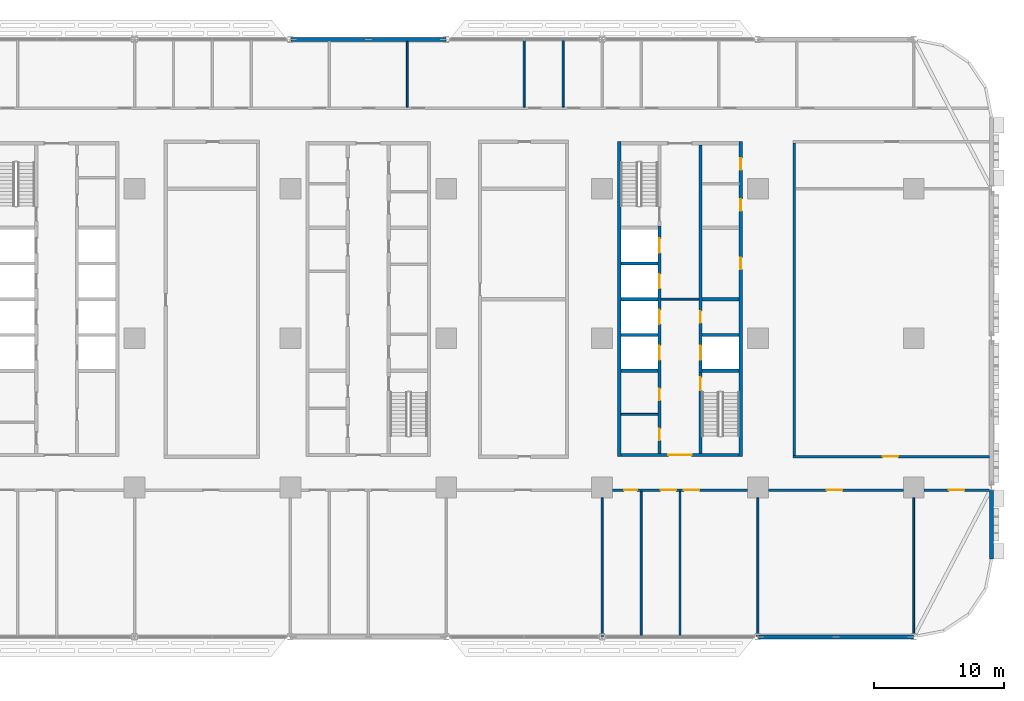
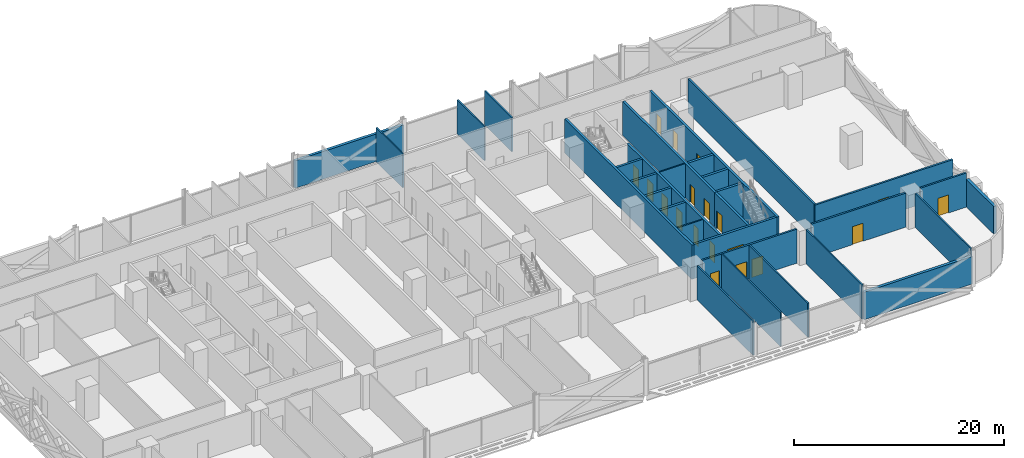
# One storey, part 14 of 27: 31 walls, 19 doors, 19 openings.
"""IFC4 building model written with IfcOpenShell, lengths in metres."""

from ifc_helpers import new_model, si_unit, direction, frame, frame_2d, origin, place, context, subcontext, project, spatial, rectangle, extrude, material, layer, layer_set, type_object, element, fill, save


model = new_model("IFC4")

# Units and contexts
model_context = context("Model", 3, precision=1e-05, world=origin(), true_north=direction((0.0, 1.0)))
body_context = subcontext(model_context, "Body", "Model", "MODEL_VIEW")
ifc_project = project(units=[si_unit("LENGTHUNIT", "METRE"), si_unit("AREAUNIT", "SQUARE_METRE"), si_unit("VOLUMEUNIT", "CUBIC_METRE"), si_unit("PLANEANGLEUNIT", "RADIAN"), si_unit("MASSUNIT", "GRAM", prefix="KILO")], contexts=[model_context])

# Site, building, storey
site_placement = place(None, origin())
site = spatial("IfcSite", under=ifc_project, at=site_placement, CompositionType="ELEMENT")
building_placement = place(site_placement, origin())
building = spatial("IfcBuilding", under=site, at=building_placement, Name="Mahtab Terrace Research Tower", CompositionType="ELEMENT")
storey_placement = place(building_placement, frame((0.0, 0.0, 28.699951171875)))
storey = spatial("IfcBuildingStorey", under=building, at=storey_placement, Name="L06", CompositionType="ELEMENT", Elevation=28.699951171875)

# Walls
ifc_material_1 = material(Name="Gypsum board partition")
ifc_layer_1 = layer(ifc_material_1, 0.14990234375)
ifc_layer_set_1 = layer_set([ifc_layer_1], Name="Core partition 150")
wall_type_1 = type_object("IfcWallType", Name="Core partition 150", PredefinedType="PARTITIONING", material=ifc_layer_set_1)
wall_1_placement = place(storey_placement, frame((22.550048828125, 3.0, 0.0), z_axis=(0.0, 0.0, 1.0), x_axis=(1.0, 0.0, 0.0)))
element("IfcWall", 1, at=wall_1_placement, inside=storey, type_object=wall_type_1, Name="Core wall C ffl", PredefinedType="PARTITIONING", context=body_context, shape_type="SweptSolid", body=[
    extrude(rectangle(XDim=2.89990234375, YDim=0.14990234375, at=frame_2d((1.449951171875, 0.0))), origin(), (0.0, 0.0, 1.0), 3.9599609375),
])
wall_2_placement = place(storey_placement, frame((19.449951171875, -5.875, 0.0), z_axis=(0.0, 0.0, 1.0), x_axis=(1.0, 0.0, 0.0)))
element("IfcWall", 2, at=wall_2_placement, inside=storey, type_object=wall_type_1, Name="Core wall C pWS-888", PredefinedType="PARTITIONING", context=body_context, shape_type="SweptSolid", body=[
    extrude(rectangle(XDim=2.85009765625, YDim=0.14990234375, at=frame_2d((1.425048828125, 0.0))), origin(), (0.0, 0.0, 1.0), 3.9599609375),
])
ifc_material_2 = material(Name="Concrete C70/85", Category="concrete")
ifc_layer_2 = layer(ifc_material_2, 0.25)
ifc_layer_set_2 = layer_set([ifc_layer_2], Name="Core wall 250")
wall_type_2 = type_object("IfcWallType", Name="Core wall 250", PredefinedType="SOLIDWALL", material=ifc_layer_set_2)
wall_3_placement = place(storey_placement, frame((19.324951171875, 15.125, 0.0), z_axis=(0.0, 0.0, 1.0), x_axis=(0.0, -1.0, 0.0)))
element("IfcWall", 3, at=wall_3_placement, inside=storey, type_object=wall_type_2, Name="Core wall C outerW", PredefinedType="SOLIDWALL", context=body_context, shape_type="SweptSolid", body=[
    extrude(rectangle(XDim=24.25, YDim=0.25, at=frame_2d((12.125, 0.0))), origin(), (0.0, 0.0, 1.0), 3.9599609375),
])

# Wall, openings, doors
wall_4_placement = place(storey_placement, frame((28.675048828125, -9.125, 0.0), z_axis=(0.0, 0.0, 1.0), x_axis=(0.0, 1.0, 0.0)))
wall_4 = element("IfcWall", 4, at=wall_4_placement, inside=storey, type_object=wall_type_2, Name="Core wall C outerE", PredefinedType="SOLIDWALL", context=body_context, shape_type="SweptSolid", body=[
    extrude(rectangle(XDim=24.25, YDim=0.25, at=frame_2d((12.125, 0.0))), origin(), (0.0, 0.0, 1.0), 3.9599609375),
])
opening_1_placement = place(wall_4_placement, frame((14.425048828125, 0.0, 0.0)))
opening_1 = element("IfcOpeningElement", 5, at=opening_1_placement, cuts=wall_4, Name="Opening C-R2", PredefinedType="OPENING", context=body_context, shape_type="SweptSolid", body=[
    extrude(rectangle(XDim=0.89990234375, YDim=2.10009765625, at=frame_2d((0.449951171875, 1.050048828125))), frame((0.0, 0.135009765625, 0.0), z_axis=(0.0, -1.0, 0.0), x_axis=(1.0, 0.0, 0.0)), (0.0, 0.0, 1.0), 0.27001953125),
])
opening_2_placement = place(wall_4_placement, frame((18.925048828125, 0.0, 0.0)))
opening_2 = element("IfcOpeningElement", 6, at=opening_2_placement, cuts=wall_4, Name="Opening C-R5", PredefinedType="OPENING", context=body_context, shape_type="SweptSolid", body=[
    extrude(rectangle(XDim=0.89990234375, YDim=2.10009765625, at=frame_2d((0.449951171875, 1.050048828125))), frame((0.0, 0.135009765625, 0.0), z_axis=(0.0, -1.0, 0.0), x_axis=(1.0, 0.0, 0.0)), (0.0, 0.0, 1.0), 0.27001953125),
])
opening_3_placement = place(wall_4_placement, frame((22.08740234375, 0.0, 0.0)))
opening_3 = element("IfcOpeningElement", 7, at=opening_3_placement, cuts=wall_4, Name="Opening C-R6", PredefinedType="OPENING", context=body_context, shape_type="SweptSolid", body=[
    extrude(rectangle(XDim=0.89990234375, YDim=2.10009765625, at=frame_2d((0.449951171875, 1.050048828125))), frame((0.0, 0.135009765625, 0.0), z_axis=(0.0, -1.0, 0.0), x_axis=(1.0, 0.0, 0.0)), (0.0, 0.0, 1.0), 0.27001953125),
])
ifc_material_3 = material(Name="Steel fire door", Category="steel")
door_type_1 = type_object("IfcDoorType", Name="Room door 900x2100 1 HR", OperationType="NOTDEFINED", PredefinedType="DOOR", material=ifc_material_3)
door_1_placement = place(opening_1_placement, origin())
door_1 = element("IfcDoor", 8, at=door_1_placement, inside=storey, type_object=door_type_1, Name="Plant room door", OperationType="SINGLE_SWING_RIGHT", OverallHeight=2.10009765625, OverallWidth=0.89990234375, PredefinedType="DOOR", context=body_context, shape_type="SweptSolid", body=[
    extrude(rectangle(XDim=0.89990234375, YDim=2.10009765625, at=frame_2d((0.449951171875, 1.050048828125))), frame((0.0, 0.02490234375, 0.0), z_axis=(0.0, -1.0, 0.0), x_axis=(1.0, 0.0, 0.0)), (0.0, 0.0, 1.0), 0.050048828125),
])
fill(opening_1, door_1)
door_2_placement = place(opening_2_placement, origin())
door_2 = element("IfcDoor", 9, at=door_2_placement, inside=storey, type_object=door_type_1, Name="Housekeeping store door", OperationType="SINGLE_SWING_LEFT", OverallHeight=2.10009765625, OverallWidth=0.89990234375, PredefinedType="DOOR", context=body_context, shape_type="SweptSolid", body=[
    extrude(rectangle(XDim=0.89990234375, YDim=2.10009765625, at=frame_2d((0.449951171875, 1.050048828125))), frame((0.0, 0.02490234375, 0.0), z_axis=(0.0, -1.0, 0.0), x_axis=(1.0, 0.0, 0.0)), (0.0, 0.0, 1.0), 0.050048828125),
])
fill(opening_2, door_2)
door_3_placement = place(opening_3_placement, origin())
door_3 = element("IfcDoor", 10, at=door_3_placement, inside=storey, type_object=door_type_1, Name="Electrical riser room door", OperationType="SINGLE_SWING_RIGHT", OverallHeight=2.10009765625, OverallWidth=0.89990234375, PredefinedType="DOOR", context=body_context, shape_type="SweptSolid", body=[
    extrude(rectangle(XDim=0.89990234375, YDim=2.10009765625, at=frame_2d((0.449951171875, 1.050048828125))), frame((0.0, 0.02490234375, 0.0), z_axis=(0.0, -1.0, 0.0), x_axis=(1.0, 0.0, 0.0)), (0.0, 0.0, 1.0), 0.050048828125),
])
fill(opening_3, door_3)

# Wall, opening, door
wall_5_placement = place(storey_placement, frame((28.550048828125, -9.0, 0.0), z_axis=(0.0, 0.0, 1.0), x_axis=(-1.0, 0.0, 0.0)))
wall_5 = element("IfcWall", 11, at=wall_5_placement, inside=storey, type_object=wall_type_2, Name="Core wall C endS", PredefinedType="SOLIDWALL", context=body_context, shape_type="SweptSolid", body=[
    extrude(rectangle(XDim=9.10009765625, YDim=0.25, at=frame_2d((4.550048828125, 0.0))), origin(), (0.0, 0.0, 1.0), 3.9599609375),
])
opening_4_placement = place(wall_5_placement, frame((3.64990234375, 0.0, 0.0)))
opening_4 = element("IfcOpeningElement", 12, at=opening_4_placement, cuts=wall_5, Name="Opening C-S1", PredefinedType="OPENING", context=body_context, shape_type="SweptSolid", body=[
    extrude(rectangle(XDim=1.800048828125, YDim=2.10009765625, at=frame_2d((0.89990234375, 1.050048828125))), frame((0.0, 0.135009765625, 0.0), z_axis=(0.0, -1.0, 0.0), x_axis=(1.0, 0.0, 0.0)), (0.0, 0.0, 1.0), 0.27001953125),
])
door_type_2 = type_object("IfcDoorType", Name="Lobby double door 1800x2100 1 HR", OperationType="DOUBLE_DOOR_SINGLE_SWING", PredefinedType="DOOR", material=ifc_material_3)
door_4_placement = place(opening_4_placement, origin())
door_4 = element("IfcDoor", 13, at=door_4_placement, inside=storey, type_object=door_type_2, Name="Core entrance door C S", OperationType="DOUBLE_DOOR_SINGLE_SWING", OverallHeight=2.10009765625, OverallWidth=1.800048828125, PredefinedType="DOOR", context=body_context, shape_type="SweptSolid", body=[
    extrude(rectangle(XDim=1.800048828125, YDim=2.10009765625, at=frame_2d((0.89990234375, 1.050048828125))), frame((0.0, 0.02490234375, 0.0), z_axis=(0.0, -1.0, 0.0), x_axis=(1.0, 0.0, 0.0)), (0.0, 0.0, 1.0), 0.050048828125),
])
fill(opening_4, door_4)

# Wall, openings, doors
wall_6_placement = place(storey_placement, frame((22.425048828125, -8.875, 0.0), z_axis=(0.0, 0.0, 1.0), x_axis=(0.0, 1.0, 0.0)))
wall_6 = element("IfcWall", 14, at=wall_6_placement, inside=storey, type_object=wall_type_2, Name="Core wall C innerWSL", PredefinedType="SOLIDWALL", context=body_context, shape_type="SweptSolid", body=[
    extrude(rectangle(XDim=17.5, YDim=0.25, at=frame_2d((8.75, 0.0))), origin(), (0.0, 0.0, 1.0), 3.9599609375),
])
opening_5_placement = place(wall_6_placement, frame((7.199951171875, 0.0, 0.0)))
opening_5 = element("IfcOpeningElement", 15, at=opening_5_placement, cuts=wall_6, Name="Opening LD17-L06", PredefinedType="OPENING", context=body_context, shape_type="SweptSolid", body=[
    extrude(rectangle(XDim=1.10009765625, YDim=2.10009765625, at=frame_2d((0.550048828125, 1.050048828125))), frame((0.0, 0.135009765625, 0.0), z_axis=(0.0, -1.0, 0.0), x_axis=(1.0, 0.0, 0.0)), (0.0, 0.0, 1.0), 0.27001953125),
])
opening_6_placement = place(wall_6_placement, frame((9.949951171875, 0.0, 0.0)))
opening_6 = element("IfcOpeningElement", 16, at=opening_6_placement, cuts=wall_6, Name="Opening LD18-L06", PredefinedType="OPENING", context=body_context, shape_type="SweptSolid", body=[
    extrude(rectangle(XDim=1.10009765625, YDim=2.10009765625, at=frame_2d((0.550048828125, 1.050048828125))), frame((0.0, 0.135009765625, 0.0), z_axis=(0.0, -1.0, 0.0), x_axis=(1.0, 0.0, 0.0)), (0.0, 0.0, 1.0), 0.27001953125),
])
opening_7_placement = place(wall_6_placement, frame((12.699951171875, 0.0, 0.0)))
opening_7 = element("IfcOpeningElement", 17, at=opening_7_placement, cuts=wall_6, Name="Opening LD19-L06", PredefinedType="OPENING", context=body_context, shape_type="SweptSolid", body=[
    extrude(rectangle(XDim=1.10009765625, YDim=2.10009765625, at=frame_2d((0.550048828125, 1.050048828125))), frame((0.0, 0.135009765625, 0.0), z_axis=(0.0, -1.0, 0.0), x_axis=(1.0, 0.0, 0.0)), (0.0, 0.0, 1.0), 0.27001953125),
])
opening_8_placement = place(wall_6_placement, frame((15.449951171875, 0.0, 0.0)))
opening_8 = element("IfcOpeningElement", 18, at=opening_8_placement, cuts=wall_6, Name="Opening LD20-L06", PredefinedType="OPENING", context=body_context, shape_type="SweptSolid", body=[
    extrude(rectangle(XDim=1.10009765625, YDim=2.10009765625, at=frame_2d((0.550048828125, 1.050048828125))), frame((0.0, 0.135009765625, 0.0), z_axis=(0.0, -1.0, 0.0), x_axis=(1.0, 0.0, 0.0)), (0.0, 0.0, 1.0), 0.27001953125),
])
opening_9_placement = place(wall_6_placement, frame((1.012451171875, 0.0, 0.0)))
opening_9 = element("IfcOpeningElement", 19, at=opening_9_placement, cuts=wall_6, Name="Opening C-R3", PredefinedType="OPENING", context=body_context, shape_type="SweptSolid", body=[
    extrude(rectangle(XDim=0.89990234375, YDim=2.10009765625, at=frame_2d((0.449951171875, 1.050048828125))), frame((0.0, 0.135009765625, 0.0), z_axis=(0.0, -1.0, 0.0), x_axis=(1.0, 0.0, 0.0)), (0.0, 0.0, 1.0), 0.27001953125),
])
opening_10_placement = place(wall_6_placement, frame((4.08740234375, 0.0, 0.0)))
opening_10 = element("IfcOpeningElement", 20, at=opening_10_placement, cuts=wall_6, Name="Opening C-R4", PredefinedType="OPENING", context=body_context, shape_type="SweptSolid", body=[
    extrude(rectangle(XDim=0.89990234375, YDim=2.10009765625, at=frame_2d((0.449951171875, 1.050048828125))), frame((0.0, 0.135009765625, 0.0), z_axis=(0.0, -1.0, 0.0), x_axis=(1.0, 0.0, 0.0)), (0.0, 0.0, 1.0), 0.27001953125),
])
ifc_material_4 = material(Name="Stainless steel AISI 304", Category="steel")
door_type_3 = type_object("IfcDoorType", Name="Landing door 1100x2100", OperationType="DOUBLE_DOOR_SLIDING", PredefinedType="DOOR", material=ifc_material_4)
door_5_placement = place(opening_5_placement, origin())
door_5 = element("IfcDoor", 21, at=door_5_placement, inside=storey, type_object=door_type_3, Name="Landing door SV1 L06", OperationType="DOUBLE_DOOR_SLIDING", OverallHeight=2.10009765625, OverallWidth=1.10009765625, PredefinedType="DOOR", context=body_context, shape_type="SweptSolid", body=[
    extrude(rectangle(XDim=1.10009765625, YDim=2.10009765625, at=frame_2d((0.550048828125, 1.050048828125))), frame((0.0, 0.02490234375, 0.0), z_axis=(0.0, -1.0, 0.0), x_axis=(1.0, 0.0, 0.0)), (0.0, 0.0, 1.0), 0.050048828125),
])
fill(opening_5, door_5)
door_6_placement = place(opening_6_placement, origin())
door_6 = element("IfcDoor", 22, at=door_6_placement, inside=storey, type_object=door_type_3, Name="Landing door SV2 L06", OperationType="DOUBLE_DOOR_SLIDING", OverallHeight=2.10009765625, OverallWidth=1.10009765625, PredefinedType="DOOR", context=body_context, shape_type="SweptSolid", body=[
    extrude(rectangle(XDim=1.10009765625, YDim=2.10009765625, at=frame_2d((0.550048828125, 1.050048828125))), frame((0.0, 0.02490234375, 0.0), z_axis=(0.0, -1.0, 0.0), x_axis=(1.0, 0.0, 0.0)), (0.0, 0.0, 1.0), 0.050048828125),
])
fill(opening_6, door_6)
door_7_placement = place(opening_7_placement, origin())
door_7 = element("IfcDoor", 23, at=door_7_placement, inside=storey, type_object=door_type_3, Name="Landing door FF1 L06", OperationType="DOUBLE_DOOR_SLIDING", OverallHeight=2.10009765625, OverallWidth=1.10009765625, PredefinedType="DOOR", context=body_context, shape_type="SweptSolid", body=[
    extrude(rectangle(XDim=1.10009765625, YDim=2.10009765625, at=frame_2d((0.550048828125, 1.050048828125))), frame((0.0, 0.02490234375, 0.0), z_axis=(0.0, -1.0, 0.0), x_axis=(1.0, 0.0, 0.0)), (0.0, 0.0, 1.0), 0.050048828125),
])
fill(opening_7, door_7)
door_8_placement = place(opening_8_placement, origin())
door_8 = element("IfcDoor", 24, at=door_8_placement, inside=storey, type_object=door_type_3, Name="Landing door FF2 L06", OperationType="DOUBLE_DOOR_SLIDING", OverallHeight=2.10009765625, OverallWidth=1.10009765625, PredefinedType="DOOR", context=body_context, shape_type="SweptSolid", body=[
    extrude(rectangle(XDim=1.10009765625, YDim=2.10009765625, at=frame_2d((0.550048828125, 1.050048828125))), frame((0.0, 0.02490234375, 0.0), z_axis=(0.0, -1.0, 0.0), x_axis=(1.0, 0.0, 0.0)), (0.0, 0.0, 1.0), 0.050048828125),
])
fill(opening_8, door_8)
door_9_placement = place(opening_9_placement, origin())
door_9 = element("IfcDoor", 25, at=door_9_placement, inside=storey, type_object=door_type_1, Name="Staff WC door", OperationType="SINGLE_SWING_LEFT", OverallHeight=2.10009765625, OverallWidth=0.89990234375, PredefinedType="DOOR", context=body_context, shape_type="SweptSolid", body=[
    extrude(rectangle(XDim=0.89990234375, YDim=2.10009765625, at=frame_2d((0.449951171875, 1.050048828125))), frame((0.0, 0.02490234375, 0.0), z_axis=(0.0, -1.0, 0.0), x_axis=(1.0, 0.0, 0.0)), (0.0, 0.0, 1.0), 0.050048828125),
])
fill(opening_9, door_9)
door_10_placement = place(opening_10_placement, origin())
door_10 = element("IfcDoor", 26, at=door_10_placement, inside=storey, type_object=door_type_1, Name="Accessible WC door", OperationType="SINGLE_SWING_RIGHT", OverallHeight=2.10009765625, OverallWidth=0.89990234375, PredefinedType="DOOR", context=body_context, shape_type="SweptSolid", body=[
    extrude(rectangle(XDim=0.89990234375, YDim=2.10009765625, at=frame_2d((0.449951171875, 1.050048828125))), frame((0.0, 0.02490234375, 0.0), z_axis=(0.0, -1.0, 0.0), x_axis=(1.0, 0.0, 0.0)), (0.0, 0.0, 1.0), 0.050048828125),
])
fill(opening_10, door_10)

# Wall, opening, door
wall_7_placement = place(storey_placement, frame((25.574951171875, -8.875, 0.0), z_axis=(0.0, 0.0, 1.0), x_axis=(0.0, 1.0, 0.0)))
wall_7 = element("IfcWall", 27, at=wall_7_placement, inside=storey, type_object=wall_type_2, Name="Core wall C innerES", PredefinedType="SOLIDWALL", context=body_context, shape_type="SweptSolid", body=[
    extrude(rectangle(XDim=6.25, YDim=0.25, at=frame_2d((3.125, 0.0))), origin(), (0.0, 0.0, 1.0), 3.9599609375),
])
opening_11_placement = place(wall_7_placement, frame((4.85009765625, 0.0, 0.0)))
opening_11 = element("IfcOpeningElement", 28, at=opening_11_placement, cuts=wall_7, Name="Opening C-ST4", PredefinedType="OPENING", context=body_context, shape_type="SweptSolid", body=[
    extrude(rectangle(XDim=1.0, YDim=2.10009765625, at=frame_2d((0.5, 1.050048828125))), frame((0.0, 0.135009765625, 0.0), z_axis=(0.0, -1.0, 0.0), x_axis=(1.0, 0.0, 0.0)), (0.0, 0.0, 1.0), 0.27001953125),
])
door_type_4 = type_object("IfcDoorType", Name="Stair door 1000x2100 1.5 HR", OperationType="NOTDEFINED", PredefinedType="DOOR", material=ifc_material_3)
door_11_placement = place(opening_11_placement, origin())
door_11 = element("IfcDoor", 29, at=door_11_placement, inside=storey, type_object=door_type_4, Name="Stair door ST4 L06", OperationType="SINGLE_SWING_RIGHT", OverallHeight=2.10009765625, OverallWidth=1.0, PredefinedType="DOOR", context=body_context, shape_type="SweptSolid", body=[
    extrude(rectangle(XDim=1.0, YDim=2.10009765625, at=frame_2d((0.5, 1.050048828125))), frame((0.0, 0.02490234375, 0.0), z_axis=(0.0, -1.0, 0.0), x_axis=(1.0, 0.0, 0.0)), (0.0, 0.0, 1.0), 0.050048828125),
])
fill(opening_11, door_11)

# Wall, openings, doors
wall_8_placement = place(storey_placement, frame((25.574951171875, 14.875, 0.0), z_axis=(0.0, 0.0, 1.0), x_axis=(0.0, -1.0, 0.0)))
wall_8 = element("IfcWall", 30, at=wall_8_placement, inside=storey, type_object=wall_type_2, Name="Core wall C innerELN", PredefinedType="SOLIDWALL", context=body_context, shape_type="SweptSolid", body=[
    extrude(rectangle(XDim=17.5, YDim=0.25, at=frame_2d((8.75, 0.0))), origin(), (0.0, 0.0, 1.0), 3.9599609375),
])
opening_12_placement = place(wall_8_placement, frame((15.449951171875, 0.0, 0.0)))
opening_12 = element("IfcOpeningElement", 31, at=opening_12_placement, cuts=wall_8, Name="Opening LD21-L06", PredefinedType="OPENING", context=body_context, shape_type="SweptSolid", body=[
    extrude(rectangle(XDim=1.10009765625, YDim=2.10009765625, at=frame_2d((0.550048828125, 1.050048828125))), frame((0.0, 0.135009765625, 0.0), z_axis=(0.0, -1.0, 0.0), x_axis=(1.0, 0.0, 0.0)), (0.0, 0.0, 1.0), 0.27001953125),
])
opening_13_placement = place(wall_8_placement, frame((12.800048828125, 0.0, 0.0)))
opening_13 = element("IfcOpeningElement", 32, at=opening_13_placement, cuts=wall_8, Name="Opening C-R1", PredefinedType="OPENING", context=body_context, shape_type="SweptSolid", body=[
    extrude(rectangle(XDim=0.89990234375, YDim=2.10009765625, at=frame_2d((0.449951171875, 1.050048828125))), frame((0.0, 0.135009765625, 0.0), z_axis=(0.0, -1.0, 0.0), x_axis=(1.0, 0.0, 0.0)), (0.0, 0.0, 1.0), 0.27001953125),
])
door_12_placement = place(opening_12_placement, origin())
door_12 = element("IfcDoor", 33, at=door_12_placement, inside=storey, type_object=door_type_3, Name="Landing door SV3 L06", OperationType="DOUBLE_DOOR_SLIDING", OverallHeight=2.10009765625, OverallWidth=1.10009765625, PredefinedType="DOOR", context=body_context, shape_type="SweptSolid", body=[
    extrude(rectangle(XDim=1.10009765625, YDim=2.10009765625, at=frame_2d((0.550048828125, 1.050048828125))), frame((0.0, 0.02490234375, 0.0), z_axis=(0.0, -1.0, 0.0), x_axis=(1.0, 0.0, 0.0)), (0.0, 0.0, 1.0), 0.050048828125),
])
fill(opening_12, door_12)
door_13_placement = place(opening_13_placement, origin())
door_13 = element("IfcDoor", 34, at=door_13_placement, inside=storey, type_object=door_type_1, Name="Plant room door", OperationType="SINGLE_SWING_LEFT", OverallHeight=2.10009765625, OverallWidth=0.89990234375, PredefinedType="DOOR", context=body_context, shape_type="SweptSolid", body=[
    extrude(rectangle(XDim=0.89990234375, YDim=2.10009765625, at=frame_2d((0.449951171875, 1.050048828125))), frame((0.0, 0.02490234375, 0.0), z_axis=(0.0, -1.0, 0.0), x_axis=(1.0, 0.0, 0.0)), (0.0, 0.0, 1.0), 0.050048828125),
])
fill(opening_13, door_13)

# Walls
for number, where, z_axis, x_axis, name in (
    (35, (19.449951171875, -2.5, 0.0), (0.0, 0.0, 1.0), (1.0, 0.0, 0.0), "Core wall C divW0"),
    (36, (19.449951171875, 0.25, 0.0), (0.0, 0.0, 1.0), (1.0, 0.0, 0.0), "Core wall C divW1"),
    (37, (19.449951171875, 3.0, 0.0), (0.0, 0.0, 1.0), (1.0, 0.0, 0.0), "Core wall C divW2"),
    (38, (19.449951171875, 5.75, 0.0), (0.0, 0.0, 1.0), (1.0, 0.0, 0.0), "Core wall C divW3"),
    (39, (25.699951171875, -2.5, 0.0), (0.0, 0.0, 1.0), (1.0, 0.0, 0.0), "Core wall C divE0"),
    (40, (25.699951171875, 0.25, 0.0), (0.0, 0.0, 1.0), (1.0, 0.0, 0.0), "Core wall C divE1"),
    (41, (25.699951171875, 3.0, 0.0), (0.0, 0.0, 1.0), (1.0, 0.0, 0.0), "Core wall C divE2"),
):
    element("IfcWall", number, at=place(storey_placement, frame(where, z_axis=z_axis, x_axis=x_axis)), inside=storey, type_object=wall_type_2, Name=name, PredefinedType="SOLIDWALL", context=body_context, shape_type="SweptSolid", body=[
        extrude(rectangle(XDim=2.85009765625, YDim=0.25, at=frame_2d((1.425048828125, 0.0))), origin(), (0.0, 0.0, 1.0), 3.9599609375),
    ])
ifc_material_5 = material(Name="Black aluminium cladding panel", Category="aluminium")
ifc_layer_3 = layer(ifc_material_5, 0.300048828125)
ifc_layer_set_3 = layer_set([ifc_layer_3], Name="Opaque facade wall 300")
wall_type_3 = type_object("IfcWallType", Name="Opaque facade wall 300", PredefinedType="NOTDEFINED", material=ifc_layer_set_3)
for number, where, z_axis, x_axis, name in (
    (42, (5.97216796875, 23.0, 0.0), (0.0, 0.0, 1.0), (-1.0, 0.0, 0.0), "Opaque facade wall L06 N6"),
    (43, (30.02783203125, -23.0, 0.0), (0.0, 0.0, 1.0), (1.0, 0.0, 0.0), "Opaque facade wall L06 S28"),
):
    element("IfcWall", number, at=place(storey_placement, frame(where, z_axis=z_axis, x_axis=x_axis)), inside=storey, type_object=wall_type_3, Name=name, PredefinedType="NOTDEFINED", context=body_context, shape_type="SweptSolid", body=[
        extrude(rectangle(XDim=11.9443359375, YDim=0.300048828125, at=frame_2d((5.97216796875, 0.0))), origin(), (0.0, 0.0, 1.0), 3.203125),
    ])
wall_9_placement = place(storey_placement, frame((48.0, -17.0, 0.0), z_axis=(0.0, 0.0, 1.0), x_axis=(0.0, 1.0, 0.0)))
element("IfcWall", 44, at=wall_9_placement, inside=storey, type_object=wall_type_3, Name="Opaque facade wall L06 E33", PredefinedType="NOTDEFINED", context=body_context, shape_type="SweptSolid", body=[
    extrude(rectangle(XDim=5.2509765625, YDim=0.300048828125, at=frame_2d((2.62548828125, 0.0))), origin(), (0.0, 0.0, 1.0), 3.203125),
])

# Wall, openings, doors
ifc_material_6 = material(Name="Gypsum board corridor wall on steel studs", Category="steel")
ifc_layer_4 = layer(ifc_material_6, 0.199951171875)
ifc_layer_set_4 = layer_set([ifc_layer_4], Name="WALL CORRIDOR 200")
wall_type_4 = type_object("IfcWallType", Name="WALL CORRIDOR 200", PredefinedType="PARTITIONING", material=ifc_layer_set_4)
wall_10_placement = place(storey_placement, frame((18.800048828125, -11.699951171875, 0.0), z_axis=(0.0, 0.0, 1.0), x_axis=(1.0, 0.0, 0.0)))
wall_10 = element("IfcWall", 45, at=wall_10_placement, inside=storey, type_object=wall_type_4, Name="L06-W007", PredefinedType="PARTITIONING", context=body_context, shape_type="SweptSolid", body=[
    extrude(rectangle(XDim=10.39990234375, YDim=0.199951171875, at=frame_2d((5.199951171875, 0.0))), origin(), (0.0, 0.0, 1.0), 3.9599609375),
])
opening_14_placement = place(wall_10_placement, frame((0.89990234375, 0.0, 0.0)))
opening_14 = element("IfcOpeningElement", 46, at=opening_14_placement, cuts=wall_10, Name="Opening L06-111", PredefinedType="OPENING", context=body_context, shape_type="SweptSolid", body=[
    extrude(rectangle(XDim=1.0, YDim=2.10009765625, at=frame_2d((0.5, 1.050048828125))), frame((0.0, 0.10986328125, 0.0), z_axis=(0.0, -1.0, 0.0), x_axis=(1.0, 0.0, 0.0)), (0.0, 0.0, 1.0), 0.219970703125),
])
opening_15_placement = place(wall_10_placement, frame((3.699951171875, 0.0, 0.0)))
opening_15 = element("IfcOpeningElement", 47, at=opening_15_placement, cuts=wall_10, Name="Opening L06-112", PredefinedType="OPENING", context=body_context, shape_type="SweptSolid", body=[
    extrude(rectangle(XDim=1.199951171875, YDim=2.10009765625, at=frame_2d((0.60009765625, 1.050048828125))), frame((0.0, 0.10986328125, 0.0), z_axis=(0.0, -1.0, 0.0), x_axis=(1.0, 0.0, 0.0)), (0.0, 0.0, 1.0), 0.219970703125),
])
opening_16_placement = place(wall_10_placement, frame((5.5, 0.0, 0.0)))
opening_16 = element("IfcOpeningElement", 48, at=opening_16_placement, cuts=wall_10, Name="Opening L06-113", PredefinedType="OPENING", context=body_context, shape_type="SweptSolid", body=[
    extrude(rectangle(XDim=1.199951171875, YDim=2.10009765625, at=frame_2d((0.60009765625, 1.050048828125))), frame((0.0, 0.10986328125, 0.0), z_axis=(0.0, -1.0, 0.0), x_axis=(1.0, 0.0, 0.0)), (0.0, 0.0, 1.0), 0.219970703125),
])
ifc_material_7 = material(Name="Timber door leaf in steel frame", Category="steel")
door_type_5 = type_object("IfcDoorType", Name="DOOR 1000X2100 FD30S", OperationType="SINGLE_SWING_LEFT", PredefinedType="DOOR", material=ifc_material_7)
door_14_placement = place(opening_14_placement, origin())
door_14 = element("IfcDoor", 49, at=door_14_placement, inside=storey, type_object=door_type_5, Name="Door L06-111", OperationType="SINGLE_SWING_RIGHT", OverallHeight=2.10009765625, OverallWidth=1.0, PredefinedType="DOOR", context=body_context, shape_type="SweptSolid", body=[
    extrude(rectangle(XDim=1.0, YDim=2.10009765625, at=frame_2d((0.5, 1.050048828125))), frame((0.0, 0.02490234375, 0.0), z_axis=(0.0, -1.0, 0.0), x_axis=(1.0, 0.0, 0.0)), (0.0, 0.0, 1.0), 0.050048828125),
])
fill(opening_14, door_14)
door_type_6 = type_object("IfcDoorType", Name="DOOR 1200X2100 FD30S", OperationType="SINGLE_SWING_LEFT", PredefinedType="DOOR", material=ifc_material_7)
door_15_placement = place(opening_15_placement, origin())
door_15 = element("IfcDoor", 50, at=door_15_placement, inside=storey, type_object=door_type_6, Name="Door L06-112", OperationType="SINGLE_SWING_RIGHT", OverallHeight=2.10009765625, OverallWidth=1.199951171875, PredefinedType="DOOR", context=body_context, shape_type="SweptSolid", body=[
    extrude(rectangle(XDim=1.199951171875, YDim=2.10009765625, at=frame_2d((0.60009765625, 1.050048828125))), frame((0.0, 0.02490234375, 0.0), z_axis=(0.0, -1.0, 0.0), x_axis=(1.0, 0.0, 0.0)), (0.0, 0.0, 1.0), 0.050048828125),
])
fill(opening_15, door_15)
door_16_placement = place(opening_16_placement, origin())
door_16 = element("IfcDoor", 51, at=door_16_placement, inside=storey, type_object=door_type_6, Name="Door L06-113", OperationType="SINGLE_SWING_LEFT", OverallHeight=2.10009765625, OverallWidth=1.199951171875, PredefinedType="DOOR", context=body_context, shape_type="SweptSolid", body=[
    extrude(rectangle(XDim=1.199951171875, YDim=2.10009765625, at=frame_2d((0.60009765625, 1.050048828125))), frame((0.0, 0.02490234375, 0.0), z_axis=(0.0, -1.0, 0.0), x_axis=(1.0, 0.0, 0.0)), (0.0, 0.0, 1.0), 0.050048828125),
])
fill(opening_16, door_16)

# Wall, opening, door
wall_11_placement = place(storey_placement, frame((30.800048828125, -11.699951171875, 0.0), z_axis=(0.0, 0.0, 1.0), x_axis=(1.0, 0.0, 0.0)))
wall_11 = element("IfcWall", 52, at=wall_11_placement, inside=storey, type_object=wall_type_4, Name="L06-W008", PredefinedType="PARTITIONING", context=body_context, shape_type="SweptSolid", body=[
    extrude(rectangle(XDim=10.39990234375, YDim=0.199951171875, at=frame_2d((5.199951171875, 0.0))), origin(), (0.0, 0.0, 1.0), 3.9599609375),
])
opening_17_placement = place(wall_11_placement, frame((4.5, 0.0, 0.0)))
opening_17 = element("IfcOpeningElement", 53, at=opening_17_placement, cuts=wall_11, Name="Opening L06-114", PredefinedType="OPENING", context=body_context, shape_type="SweptSolid", body=[
    extrude(rectangle(XDim=1.199951171875, YDim=2.10009765625, at=frame_2d((0.60009765625, 1.050048828125))), frame((0.0, 0.10986328125, 0.0), z_axis=(0.0, -1.0, 0.0), x_axis=(1.0, 0.0, 0.0)), (0.0, 0.0, 1.0), 0.219970703125),
])
door_17_placement = place(opening_17_placement, origin())
door_17 = element("IfcDoor", 54, at=door_17_placement, inside=storey, type_object=door_type_6, Name="Door L06-114", OperationType="SINGLE_SWING_RIGHT", OverallHeight=2.10009765625, OverallWidth=1.199951171875, PredefinedType="DOOR", context=body_context, shape_type="SweptSolid", body=[
    extrude(rectangle(XDim=1.199951171875, YDim=2.10009765625, at=frame_2d((0.60009765625, 1.050048828125))), frame((0.0, 0.02490234375, 0.0), z_axis=(0.0, -1.0, 0.0), x_axis=(1.0, 0.0, 0.0)), (0.0, 0.0, 1.0), 0.050048828125),
])
fill(opening_17, door_17)

wall_12_placement = place(storey_placement, frame((42.800048828125, -11.699951171875, 0.0), z_axis=(0.0, 0.0, 1.0), x_axis=(1.0, 0.0, 0.0)))
wall_12 = element("IfcWall", 55, at=wall_12_placement, inside=storey, type_object=wall_type_4, Name="L06-W009", PredefinedType="PARTITIONING", context=body_context, shape_type="SweptSolid", body=[
    extrude(rectangle(XDim=5.050048828125, YDim=0.199951171875, at=frame_2d((2.52490234375, 0.0))), origin(), (0.0, 0.0, 1.0), 3.9599609375),
])
opening_18_placement = place(wall_12_placement, frame((1.89990234375, 0.0, 0.0)))
opening_18 = element("IfcOpeningElement", 56, at=opening_18_placement, cuts=wall_12, Name="Opening L06-115", PredefinedType="OPENING", context=body_context, shape_type="SweptSolid", body=[
    extrude(rectangle(XDim=1.199951171875, YDim=2.10009765625, at=frame_2d((0.60009765625, 1.050048828125))), frame((0.0, 0.10986328125, 0.0), z_axis=(0.0, -1.0, 0.0), x_axis=(1.0, 0.0, 0.0)), (0.0, 0.0, 1.0), 0.219970703125),
])
door_18_placement = place(opening_18_placement, origin())
door_18 = element("IfcDoor", 57, at=door_18_placement, inside=storey, type_object=door_type_6, Name="Door L06-115", OperationType="SINGLE_SWING_RIGHT", OverallHeight=2.10009765625, OverallWidth=1.199951171875, PredefinedType="DOOR", context=body_context, shape_type="SweptSolid", body=[
    extrude(rectangle(XDim=1.199951171875, YDim=2.10009765625, at=frame_2d((0.60009765625, 1.050048828125))), frame((0.0, 0.02490234375, 0.0), z_axis=(0.0, -1.0, 0.0), x_axis=(1.0, 0.0, 0.0)), (0.0, 0.0, 1.0), 0.050048828125),
])
fill(opening_18, door_18)

wall_13_placement = place(storey_placement, frame((32.699951171875, -9.125, 0.0), z_axis=(0.0, 0.0, 1.0), x_axis=(1.0, 0.0, 0.0)))
wall_13 = element("IfcWall", 58, at=wall_13_placement, inside=storey, type_object=wall_type_4, Name="L06-W013", PredefinedType="PARTITIONING", context=body_context, shape_type="SweptSolid", body=[
    extrude(rectangle(XDim=15.150146484375, YDim=0.199951171875, at=frame_2d((7.5751953125, 0.0))), origin(), (0.0, 0.0, 1.0), 3.9599609375),
])
opening_19_placement = place(wall_13_placement, frame((6.89990234375, 0.0, 0.0)))
opening_19 = element("IfcOpeningElement", 59, at=opening_19_placement, cuts=wall_13, Name="Opening L06-120", PredefinedType="OPENING", context=body_context, shape_type="SweptSolid", body=[
    extrude(rectangle(XDim=1.199951171875, YDim=2.10009765625, at=frame_2d((0.60009765625, 1.050048828125))), frame((0.0, 0.10986328125, 0.0), z_axis=(0.0, -1.0, 0.0), x_axis=(1.0, 0.0, 0.0)), (0.0, 0.0, 1.0), 0.219970703125),
])
door_19_placement = place(opening_19_placement, origin())
door_19 = element("IfcDoor", 60, at=door_19_placement, inside=storey, type_object=door_type_6, Name="Door L06-120", OperationType="SINGLE_SWING_LEFT", OverallHeight=2.10009765625, OverallWidth=1.199951171875, PredefinedType="DOOR", context=body_context, shape_type="SweptSolid", body=[
    extrude(rectangle(XDim=1.199951171875, YDim=2.10009765625, at=frame_2d((0.60009765625, 1.050048828125))), frame((0.0, 0.02490234375, 0.0), z_axis=(0.0, -1.0, 0.0), x_axis=(1.0, 0.0, 0.0)), (0.0, 0.0, 1.0), 0.050048828125),
])
fill(opening_19, door_19)

# Walls
wall_14_placement = place(storey_placement, frame((32.800048828125, -9.02490234375, 0.0), z_axis=(0.0, 0.0, 1.0), x_axis=(0.0, 1.0, 0.0)))
element("IfcWall", 61, at=wall_14_placement, inside=storey, type_object=wall_type_4, Name="L06-W062", PredefinedType="PARTITIONING", context=body_context, shape_type="SweptSolid", body=[
    extrude(rectangle(XDim=24.0498046875, YDim=0.199951171875, at=frame_2d((12.02490234375, 0.0))), origin(), (0.0, 0.0, 1.0), 3.9599609375),
])
ifc_material_8 = material(Name="Gypsum board partition on steel studs", Category="steel")
ifc_layer_5 = layer(ifc_material_8, 0.14990234375)
ifc_layer_set_5 = layer_set([ifc_layer_5], Name="WALL PARTITION 150")
wall_type_5 = type_object("IfcWallType", Name="WALL PARTITION 150", PredefinedType="PARTITIONING", material=ifc_layer_set_5)
wall_15_placement = place(storey_placement, frame((3.0, 17.800048828125, 0.0), z_axis=(0.0, 0.0, 1.0), x_axis=(0.0, 1.0, 0.0)))
element("IfcWall", 62, at=wall_15_placement, inside=storey, type_object=wall_type_5, Name="L06-W049", PredefinedType="PARTITIONING", context=body_context, shape_type="SweptSolid", body=[
    extrude(rectangle(XDim=5.050048828125, YDim=0.14990234375, at=frame_2d((2.52490234375, 0.0))), origin(), (0.0, 0.0, 1.0), 3.9599609375),
])
for number, where, z_axis, x_axis, name in (
    (63, (12.0, 17.800048828125, 0.0), (0.0, 0.0, 1.0), (0.0, 1.0, 0.0), "L06-W052"),
    (64, (15.0, 17.800048828125, 0.0), (0.0, 0.0, 1.0), (0.0, 1.0, 0.0), "L06-W053"),
):
    element("IfcWall", number, at=place(storey_placement, frame(where, z_axis=z_axis, x_axis=x_axis)), inside=storey, type_object=wall_type_5, Name=name, PredefinedType="PARTITIONING", context=body_context, shape_type="SweptSolid", body=[
        extrude(rectangle(XDim=5.175048828125, YDim=0.14990234375, at=frame_2d((2.58740234375, 0.0))), origin(), (0.0, 0.0, 1.0), 3.9599609375),
    ])
wall_16_placement = place(storey_placement, frame((18.0, -22.97509765625, 0.0), z_axis=(0.0, 0.0, 1.0), x_axis=(0.0, 1.0, 0.0)))
element("IfcWall", 65, at=wall_16_placement, inside=storey, type_object=wall_type_5, Name="L06-W055", PredefinedType="PARTITIONING", context=body_context, shape_type="SweptSolid", body=[
    extrude(rectangle(XDim=10.675048828125, YDim=0.14990234375, at=frame_2d((5.33740234375, 0.0))), origin(), (0.0, 0.0, 1.0), 3.9599609375),
])
for number, where, z_axis, x_axis, name in (
    (66, (21.0, -22.97509765625, 0.0), (0.0, 0.0, 1.0), (0.0, 1.0, 0.0), "L06-W057"),
    (67, (24.0, -22.97509765625, 0.0), (0.0, 0.0, 1.0), (0.0, 1.0, 0.0), "L06-W059"),
):
    element("IfcWall", number, at=place(storey_placement, frame(where, z_axis=z_axis, x_axis=x_axis)), inside=storey, type_object=wall_type_5, Name=name, PredefinedType="PARTITIONING", context=body_context, shape_type="SweptSolid", body=[
        extrude(rectangle(XDim=11.175048828125, YDim=0.14990234375, at=frame_2d((5.58740234375, 0.0))), origin(), (0.0, 0.0, 1.0), 3.9599609375),
    ])
wall_17_placement = place(storey_placement, frame((30.0, -22.97509765625, 0.0), z_axis=(0.0, 0.0, 1.0), x_axis=(0.0, 1.0, 0.0)))
element("IfcWall", 68, at=wall_17_placement, inside=storey, type_object=wall_type_5, Name="L06-W061", PredefinedType="PARTITIONING", context=body_context, shape_type="SweptSolid", body=[
    extrude(rectangle(XDim=10.675048828125, YDim=0.14990234375, at=frame_2d((5.33740234375, 0.0))), origin(), (0.0, 0.0, 1.0), 3.9599609375),
])
wall_18_placement = place(storey_placement, frame((42.0, -22.84716796875, 0.0), z_axis=(0.0, 0.0, 1.0), x_axis=(0.0, 1.0, 0.0)))
element("IfcWall", 69, at=wall_18_placement, inside=storey, type_object=wall_type_5, Name="L06-W064", PredefinedType="PARTITIONING", context=body_context, shape_type="SweptSolid", body=[
    extrude(rectangle(XDim=10.547119140625, YDim=0.14990234375, at=frame_2d((5.2734375, 0.0))), origin(), (0.0, 0.0, 1.0), 3.9599609375),
])

save(model, "model.ifc")
